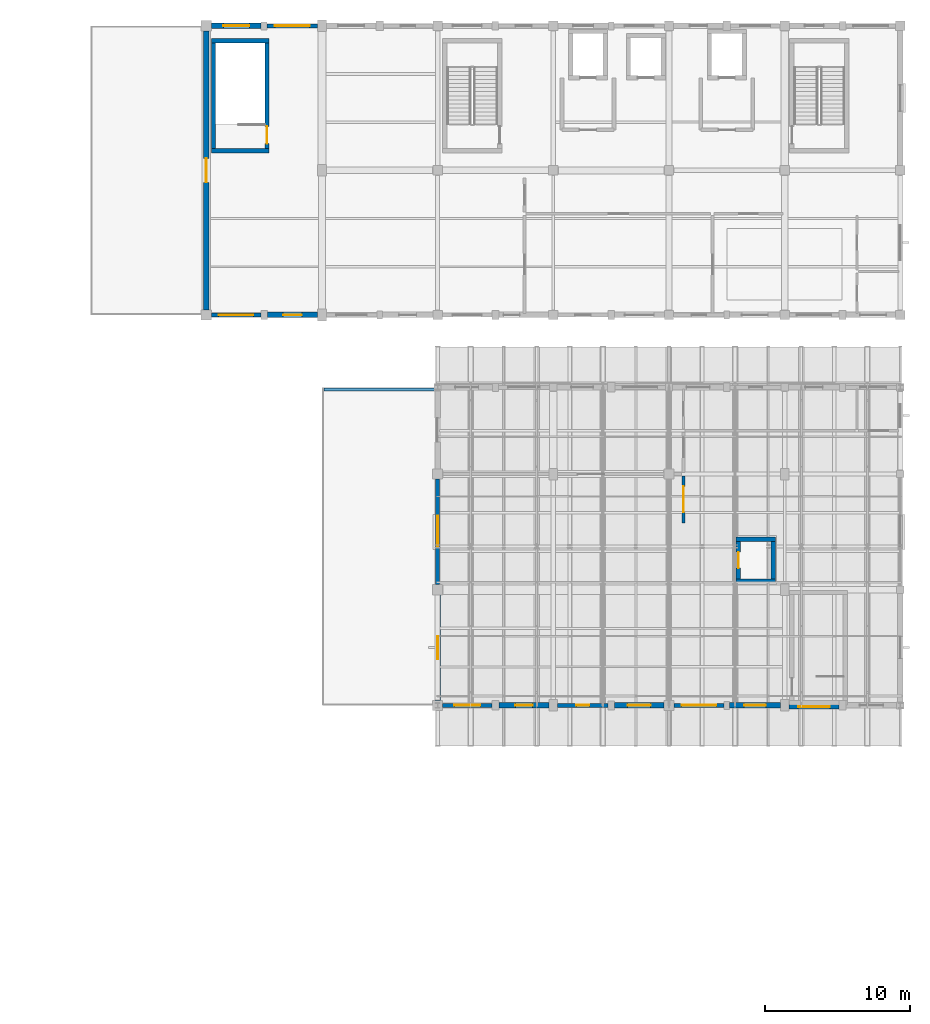
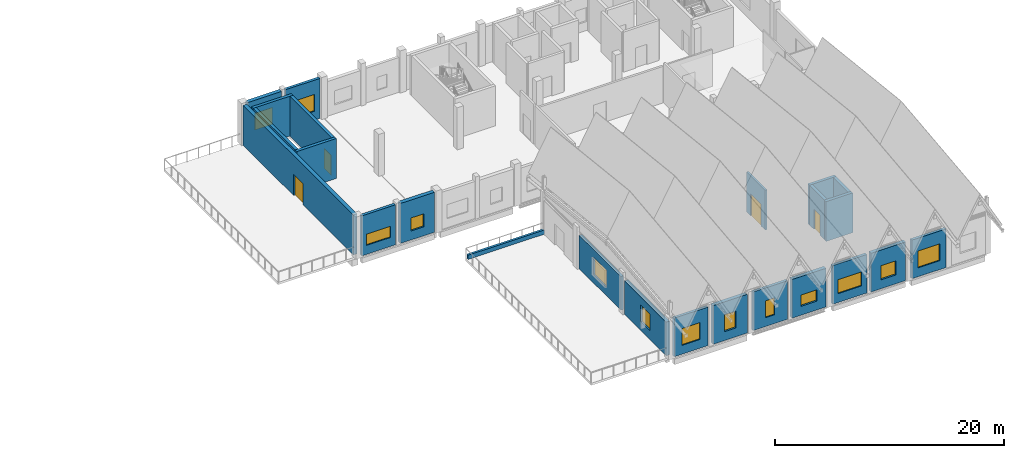
# One storey, part 32 of 48: 24 walls, 13 windows, 4 doors, 17 openings.
"""IFC4 building model written with IfcOpenShell, lengths in metres."""

from ifc_helpers import new_model, si_unit, direction, frame, frame_2d, origin, place, context, subcontext, project, spatial, rectangle, extrude, material, layer, layer_set, type_object, element, fill, save


model = new_model("IFC4")

# Units and contexts
model_context = context("Model", 3, precision=1e-05, world=origin(), true_north=direction((0.0, 1.0)))
body_context = subcontext(model_context, "Body", "Model", "MODEL_VIEW")
ifc_project = project(units=[si_unit("LENGTHUNIT", "METRE"), si_unit("AREAUNIT", "SQUARE_METRE"), si_unit("VOLUMEUNIT", "CUBIC_METRE"), si_unit("PLANEANGLEUNIT", "RADIAN"), si_unit("MASSUNIT", "GRAM", prefix="KILO")], contexts=[model_context])

# Site, building, storey
site_placement = place(None, origin())
site = spatial("IfcSite", under=ifc_project, at=site_placement, CompositionType="ELEMENT")
building_placement = place(site_placement, origin())
building = spatial("IfcBuilding", under=site, at=building_placement, Name="Luwemba Playhouse", CompositionType="ELEMENT")
storey_placement = place(building_placement, frame((0.0, 0.0, 13.800048828125)))
storey = spatial("IfcBuildingStorey", under=building, at=storey_placement, Name="L03", CompositionType="ELEMENT", Elevation=13.800048828125)

# Wall, opening, window
ifc_material_1 = material(Name="Clay facing brick obra vista masonry", Category="masonry")
ifc_layer_1 = layer(ifc_material_1, 0.3798828125)
ifc_layer_set_1 = layer_set([ifc_layer_1], Name="Clay facing brick obra vista masonry")
wall_type_1 = type_object("IfcWallType", Name="WAL-BRK-380", PredefinedType="SOLIDWALL", material=ifc_layer_set_1)
wall_1_placement = place(storey_placement, frame((140.0, 68.35009765625, 0.0), z_axis=(0.0, 0.0, 1.0), x_axis=(0.0, 1.0, 0.0)))
wall_1 = element("IfcWall", 1, at=wall_1_placement, inside=storey, type_object=wall_type_1, Name="L03 V4 exterior facade wall 0427", PredefinedType="SOLIDWALL", context=body_context, shape_type="SweptSolid", body=[
    extrude(rectangle(XDim=7.2998046875, YDim=0.3798828125, at=frame_2d((3.64990234375, 0.0))), origin(), (0.0, 0.0, 1.0), 3.5849609375),
])
opening_1_placement = place(wall_1_placement, frame((2.85009765625, 0.0, 0.949951171875)))
opening_1 = element("IfcOpeningElement", 2, at=opening_1_placement, cuts=wall_1, Name="Opening WN-03", PredefinedType="OPENING", context=body_context, shape_type="SweptSolid", body=[
    extrude(rectangle(XDim=1.60009765625, YDim=1.800048828125, at=frame_2d((0.800048828125, 0.89990234375))), frame((0.0, 0.199951171875, 0.0), z_axis=(0.0, -1.0, 0.0), x_axis=(1.0, 0.0, 0.0)), (0.0, 0.0, 1.0), 0.39990234375),
])
ifc_material_2 = material(Name="Solar-control double glazing in aluminium frame", Category="aluminium")
window_type_1 = type_object("IfcWindowType", Name="WIN-WN-03", PartitioningType="DOUBLE_PANEL_VERTICAL", PredefinedType="WINDOW", material=ifc_material_2)
window_1_placement = place(opening_1_placement, origin())
window_1 = element("IfcWindow", 3, at=window_1_placement, inside=storey, type_object=window_type_1, Name="L03 V4 scheduled window 0369", OverallHeight=1.800048828125, OverallWidth=1.60009765625, PartitioningType="DOUBLE_PANEL_VERTICAL", PredefinedType="WINDOW", context=body_context, shape_type="SweptSolid", body=[
    extrude(rectangle(XDim=1.60009765625, YDim=1.800048828125, at=frame_2d((0.800048828125, 0.89990234375))), frame((0.0, 0.030029296875, 0.0), z_axis=(0.0, -1.0, 0.0), x_axis=(1.0, 0.0, 0.0)), (0.0, 0.0, 1.0), 0.06005859375),
])
fill(opening_1, window_1)

wall_2_placement = place(storey_placement, frame((163.699951171875, 68.0, 0.0), z_axis=(0.0, 0.0, 1.0), x_axis=(-1.0, 0.0, 0.0)))
wall_2 = element("IfcWall", 4, at=wall_2_placement, inside=storey, type_object=wall_type_1, Name="L03 V4 exterior facade wall 0443", PredefinedType="SOLIDWALL", context=body_context, shape_type="SweptSolid", body=[
    extrude(rectangle(XDim=3.5, YDim=0.3798828125, at=frame_2d((1.75, 0.0))), origin(), (0.0, 0.0, 1.0), 4.125),
])
opening_2_placement = place(wall_2_placement, frame((1.0, 0.0, 0.949951171875)))
opening_2 = element("IfcOpeningElement", 5, at=opening_2_placement, cuts=wall_2, Name="Opening WN-09", PredefinedType="OPENING", context=body_context, shape_type="SweptSolid", body=[
    extrude(rectangle(XDim=1.5, YDim=1.5, at=frame_2d((0.75, 0.75))), frame((0.0, 0.199951171875, 0.0), z_axis=(0.0, -1.0, 0.0), x_axis=(1.0, 0.0, 0.0)), (0.0, 0.0, 1.0), 0.39990234375),
])
window_type_2 = type_object("IfcWindowType", Name="WIN-WN-09", PartitioningType="DOUBLE_PANEL_VERTICAL", PredefinedType="WINDOW", material=ifc_material_2)
window_2_placement = place(opening_2_placement, origin())
window_2 = element("IfcWindow", 6, at=window_2_placement, inside=storey, type_object=window_type_2, Name="L03 V4 scheduled window 0384", OverallHeight=1.5, OverallWidth=1.5, PartitioningType="DOUBLE_PANEL_VERTICAL", PredefinedType="WINDOW", context=body_context, shape_type="SweptSolid", body=[
    extrude(rectangle(XDim=1.5, YDim=1.5, at=frame_2d((0.75, 0.75))), frame((0.0, 0.030029296875, 0.0), z_axis=(0.0, -1.0, 0.0), x_axis=(1.0, 0.0, 0.0)), (0.0, 0.0, 1.0), 0.06005859375),
])
fill(opening_2, window_2)

wall_3_placement = place(storey_placement, frame((155.64990234375, 68.0, 0.0), z_axis=(0.0, 0.0, 1.0), x_axis=(-1.0, 0.0, 0.0)))
wall_3 = element("IfcWall", 7, at=wall_3_placement, inside=storey, type_object=wall_type_1, Name="L03 V4 exterior facade wall 0445", PredefinedType="SOLIDWALL", context=body_context, shape_type="SweptSolid", body=[
    extrude(rectangle(XDim=3.4248046875, YDim=0.3798828125, at=frame_2d((1.71240234375, 0.0))), origin(), (0.0, 0.0, 1.0), 4.125),
])
opening_3_placement = place(wall_3_placement, frame((0.91259765625, 0.0, 0.949951171875)))
opening_3 = element("IfcOpeningElement", 8, at=opening_3_placement, cuts=wall_3, Name="Opening WN-15", PredefinedType="OPENING", context=body_context, shape_type="SweptSolid", body=[
    extrude(rectangle(XDim=1.60009765625, YDim=1.199951171875, at=frame_2d((0.800048828125, 0.60009765625))), frame((0.0, 0.199951171875, 0.0), z_axis=(0.0, -1.0, 0.0), x_axis=(1.0, 0.0, 0.0)), (0.0, 0.0, 1.0), 0.39990234375),
])
window_type_3 = type_object("IfcWindowType", Name="WIN-WN-15", PartitioningType="DOUBLE_PANEL_HORIZONTAL", PredefinedType="WINDOW", material=ifc_material_2)
window_3_placement = place(opening_3_placement, origin())
window_3 = element("IfcWindow", 9, at=window_3_placement, inside=storey, type_object=window_type_3, Name="L03 V4 scheduled window 0386", OverallHeight=1.199951171875, OverallWidth=1.60009765625, PartitioningType="DOUBLE_PANEL_HORIZONTAL", PredefinedType="WINDOW", context=body_context, shape_type="SweptSolid", body=[
    extrude(rectangle(XDim=1.60009765625, YDim=1.199951171875, at=frame_2d((0.800048828125, 0.60009765625))), frame((0.0, 0.030029296875, 0.0), z_axis=(0.0, -1.0, 0.0), x_axis=(1.0, 0.0, 0.0)), (0.0, 0.0, 1.0), 0.06005859375),
])
fill(opening_3, window_3)

wall_4_placement = place(storey_placement, frame((147.699951171875, 68.0, 0.0), z_axis=(0.0, 0.0, 1.0), x_axis=(-1.0, 0.0, 0.0)))
wall_4 = element("IfcWall", 10, at=wall_4_placement, inside=storey, type_object=wall_type_1, Name="L03 V4 exterior facade wall 0447", PredefinedType="SOLIDWALL", context=body_context, shape_type="SweptSolid", body=[
    extrude(rectangle(XDim=3.449951171875, YDim=0.3798828125, at=frame_2d((1.72509765625, 0.0))), origin(), (0.0, 0.0, 1.0), 4.125),
])
opening_4_placement = place(wall_4_placement, frame((1.125, 0.0, 0.949951171875)))
opening_4 = element("IfcOpeningElement", 11, at=opening_4_placement, cuts=wall_4, Name="Opening WN-01", PredefinedType="OPENING", context=body_context, shape_type="SweptSolid", body=[
    extrude(rectangle(XDim=1.199951171875, YDim=1.800048828125, at=frame_2d((0.60009765625, 0.89990234375))), frame((0.0, 0.199951171875, 0.0), z_axis=(0.0, -1.0, 0.0), x_axis=(1.0, 0.0, 0.0)), (0.0, 0.0, 1.0), 0.39990234375),
])
window_type_4 = type_object("IfcWindowType", Name="WIN-WN-01", PartitioningType="SINGLE_PANEL", PredefinedType="WINDOW", material=ifc_material_2)
window_4_placement = place(opening_4_placement, origin())
window_4 = element("IfcWindow", 12, at=window_4_placement, inside=storey, type_object=window_type_4, Name="L03 V4 scheduled window 0388", OverallHeight=1.800048828125, OverallWidth=1.199951171875, PartitioningType="SINGLE_PANEL", PredefinedType="WINDOW", context=body_context, shape_type="SweptSolid", body=[
    extrude(rectangle(XDim=1.199951171875, YDim=1.800048828125, at=frame_2d((0.60009765625, 0.89990234375))), frame((0.0, 0.030029296875, 0.0), z_axis=(0.0, -1.0, 0.0), x_axis=(1.0, 0.0, 0.0)), (0.0, 0.0, 1.0), 0.06005859375),
])
fill(opening_4, window_4)

# Wall, opening, door
wall_5_placement = place(storey_placement, frame((124.0, 95.35009765625, 0.0), z_axis=(0.0, 0.0, 1.0), x_axis=(0.0, 1.0, 0.0)))
wall_5 = element("IfcWall", 13, at=wall_5_placement, inside=storey, type_object=wall_type_1, Name="L03 V6E exterior facade wall 0449", PredefinedType="SOLIDWALL", context=body_context, shape_type="SweptSolid", body=[
    extrude(rectangle(XDim=19.2998046875, YDim=0.3798828125, at=frame_2d((9.64990234375, 0.0))), origin(), (0.0, 0.0, 1.0), 4.27001953125),
])
opening_5_placement = place(wall_5_placement, frame((8.824951171875, 0.0, 0.0)))
opening_5 = element("IfcOpeningElement", 14, at=opening_5_placement, cuts=wall_5, Name="Opening D-TR1", PredefinedType="OPENING", context=body_context, shape_type="SweptSolid", body=[
    extrude(rectangle(XDim=1.64990234375, YDim=2.25, at=frame_2d((0.824951171875, 1.125))), frame((0.0, 0.199951171875, 0.0), z_axis=(0.0, -1.0, 0.0), x_axis=(1.0, 0.0, 0.0)), (0.0, 0.0, 1.0), 0.39990234375),
])
ifc_material_3 = material(Name="Architectural bronze-anodised aluminium and glazed leaf", Category="aluminium")
door_type_1 = type_object("IfcDoorType", Name="DR-TER-165", OperationType="NOTDEFINED", PredefinedType="DOOR", material=ifc_material_3)
door_1_placement = place(opening_5_placement, origin())
door_1 = element("IfcDoor", 15, at=door_1_placement, inside=storey, type_object=door_type_1, Name="L03 TER-V6E-L03 terrace entrance door", OperationType="DOUBLE_DOOR_SINGLE_SWING", OverallHeight=2.25, OverallWidth=1.64990234375, PredefinedType="DOOR", context=body_context, shape_type="SweptSolid", body=[
    extrude(rectangle(XDim=1.64990234375, YDim=2.25, at=frame_2d((0.824951171875, 1.125))), frame((0.0, 0.02490234375, 0.0), z_axis=(0.0, -1.0, 0.0), x_axis=(1.0, 0.0, 0.0)), (0.0, 0.0, 1.0), 0.050048828125),
])
fill(opening_5, door_1)

# Wall, opening, window
wall_6_placement = place(storey_placement, frame((124.35009765625, 115.0, 0.0), z_axis=(0.0, 0.0, 1.0), x_axis=(1.0, 0.0, 0.0)))
wall_6 = element("IfcWall", 16, at=wall_6_placement, inside=storey, type_object=wall_type_1, Name="L03 V6E exterior facade wall 0450", PredefinedType="SOLIDWALL", context=body_context, shape_type="SweptSolid", body=[
    extrude(rectangle(XDim=3.449951171875, YDim=0.3798828125, at=frame_2d((1.72509765625, 0.0))), origin(), (0.0, 0.0, 1.0), 4.27001953125),
])
opening_6_placement = place(wall_6_placement, frame((0.824951171875, 0.0, 0.949951171875)))
opening_6 = element("IfcOpeningElement", 17, at=opening_6_placement, cuts=wall_6, Name="Opening WN-04", PredefinedType="OPENING", context=body_context, shape_type="SweptSolid", body=[
    extrude(rectangle(XDim=1.800048828125, YDim=1.800048828125, at=frame_2d((0.89990234375, 0.89990234375))), frame((0.0, 0.199951171875, 0.0), z_axis=(0.0, -1.0, 0.0), x_axis=(1.0, 0.0, 0.0)), (0.0, 0.0, 1.0), 0.39990234375),
])
window_type_5 = type_object("IfcWindowType", Name="WIN-WN-04", PartitioningType="DOUBLE_PANEL_VERTICAL", PredefinedType="WINDOW", material=ifc_material_2)
window_5_placement = place(opening_6_placement, origin())
window_5 = element("IfcWindow", 18, at=window_5_placement, inside=storey, type_object=window_type_5, Name="L03 V6E scheduled window 0390", OverallHeight=1.800048828125, OverallWidth=1.800048828125, PartitioningType="DOUBLE_PANEL_VERTICAL", PredefinedType="WINDOW", context=body_context, shape_type="SweptSolid", body=[
    extrude(rectangle(XDim=1.800048828125, YDim=1.800048828125, at=frame_2d((0.89990234375, 0.89990234375))), frame((0.0, 0.030029296875, 0.0), z_axis=(0.0, -1.0, 0.0), x_axis=(1.0, 0.0, 0.0)), (0.0, 0.0, 1.0), 0.06005859375),
])
fill(opening_6, window_5)

wall_7_placement = place(storey_placement, frame((131.699951171875, 95.0, 0.0), z_axis=(0.0, 0.0, 1.0), x_axis=(-1.0, 0.0, 0.0)))
wall_7 = element("IfcWall", 19, at=wall_7_placement, inside=storey, type_object=wall_type_1, Name="L03 V6E exterior facade wall 0474", PredefinedType="SOLIDWALL", context=body_context, shape_type="SweptSolid", body=[
    extrude(rectangle(XDim=3.474853515625, YDim=0.3798828125, at=frame_2d((1.7373046875, 0.0))), origin(), (0.0, 0.0, 1.0), 4.27001953125),
])
opening_7_placement = place(wall_7_placement, frame((1.08740234375, 0.0, 0.949951171875)))
opening_7 = element("IfcOpeningElement", 20, at=opening_7_placement, cuts=wall_7, Name="Opening WN-14", PredefinedType="OPENING", context=body_context, shape_type="SweptSolid", body=[
    extrude(rectangle(XDim=1.300048828125, YDim=1.39990234375, at=frame_2d((0.64990234375, 0.699951171875))), frame((0.0, 0.199951171875, 0.0), z_axis=(0.0, -1.0, 0.0), x_axis=(1.0, 0.0, 0.0)), (0.0, 0.0, 1.0), 0.39990234375),
])
window_type_6 = type_object("IfcWindowType", Name="WIN-WN-14", PartitioningType="SINGLE_PANEL", PredefinedType="WINDOW", material=ifc_material_2)
window_6_placement = place(opening_7_placement, origin())
window_6 = element("IfcWindow", 21, at=window_6_placement, inside=storey, type_object=window_type_6, Name="L03 V6E scheduled window 0414", OverallHeight=1.39990234375, OverallWidth=1.300048828125, PartitioningType="SINGLE_PANEL", PredefinedType="WINDOW", context=body_context, shape_type="SweptSolid", body=[
    extrude(rectangle(XDim=1.300048828125, YDim=1.39990234375, at=frame_2d((0.64990234375, 0.699951171875))), frame((0.0, 0.030029296875, 0.0), z_axis=(0.0, -1.0, 0.0), x_axis=(1.0, 0.0, 0.0)), (0.0, 0.0, 1.0), 0.06005859375),
])
fill(opening_7, window_6)

# Walls
ifc_material_4 = material(Name="Concrete C40/50", Category="concrete")
ifc_layer_2 = layer(ifc_material_4, 0.300048828125)
ifc_layer_set_2 = layer_set([ifc_layer_2], Name="Concrete C40/50")
wall_type_2 = type_object("IfcWallType", Name="WAL-CORE-300", PredefinedType="SHEAR", material=ifc_layer_set_2)
for number, where, z_axis, x_axis, name in (
    (22, (124.35009765625, 106.35009765625, 0.0), (0.0, 0.0, 1.0), (1.0, 0.0, 0.0), "L03 ST-16 stair core wall S"),
    (23, (128.35009765625, 113.969970703125, 0.0), (0.0, 0.0, 1.0), (-1.0, 0.0, 0.0), "L03 ST-16 stair core wall N"),
):
    element("IfcWall", number, at=place(storey_placement, frame(where, z_axis=z_axis, x_axis=x_axis)), inside=storey, type_object=wall_type_2, Name=name, PredefinedType="SHEAR", context=body_context, shape_type="SweptSolid", body=[
        extrude(rectangle(XDim=4.0, YDim=0.300048828125, at=frame_2d((2.0, 0.0))), origin(), (0.0, 0.0, 1.0), 4.27001953125),
    ])
wall_8_placement = place(storey_placement, frame((124.5, 106.5, 0.0), z_axis=(0.0, 0.0, 1.0), x_axis=(0.0, 1.0, 0.0)))
element("IfcWall", 24, at=wall_8_placement, inside=storey, type_object=wall_type_2, Name="L03 ST-16 stair core wall W", PredefinedType="SHEAR", context=body_context, shape_type="SweptSolid", body=[
    extrude(rectangle(XDim=7.320068359375, YDim=0.300048828125, at=frame_2d((3.66015625, 0.0))), origin(), (0.0, 0.0, 1.0), 4.27001953125),
])

# Wall, opening, door
wall_9_placement = place(storey_placement, frame((128.199951171875, 106.5, 0.0), z_axis=(0.0, 0.0, 1.0), x_axis=(0.0, 1.0, 0.0)))
wall_9 = element("IfcWall", 25, at=wall_9_placement, inside=storey, type_object=wall_type_2, Name="L03 ST-16 stair core wall E", PredefinedType="SHEAR", context=body_context, shape_type="SweptSolid", body=[
    extrude(rectangle(XDim=7.320068359375, YDim=0.300048828125, at=frame_2d((3.66015625, 0.0))), origin(), (0.0, 0.0, 1.0), 4.27001953125),
])
opening_8_placement = place(wall_9_placement, frame((0.35009765625, 0.0, 0.0)))
opening_8 = element("IfcOpeningElement", 26, at=opening_8_placement, cuts=wall_9, Name="Opening D-STAIR3", PredefinedType="OPENING", context=body_context, shape_type="SweptSolid", body=[
    extrude(rectangle(XDim=1.199951171875, YDim=2.14990234375, at=frame_2d((0.60009765625, 1.074951171875))), frame((0.0, 0.159912109375, 0.0), z_axis=(0.0, -1.0, 0.0), x_axis=(1.0, 0.0, 0.0)), (0.0, 0.0, 1.0), 0.320068359375),
])
ifc_material_5 = material(Name="Hardwood acoustic fire door leaf", Category="wood")
door_type_2 = type_object("IfcDoorType", Name="DR-STAIR-120", OperationType="NOTDEFINED", PredefinedType="DOOR", material=ifc_material_5)
door_2_placement = place(opening_8_placement, origin())
door_2 = element("IfcDoor", 27, at=door_2_placement, inside=storey, type_object=door_type_2, Name="L03 ST-16 protected stair entry door", OperationType="SINGLE_SWING_RIGHT", OverallHeight=2.14990234375, OverallWidth=1.199951171875, PredefinedType="DOOR", context=body_context, shape_type="SweptSolid", body=[
    extrude(rectangle(XDim=1.199951171875, YDim=2.14990234375, at=frame_2d((0.60009765625, 1.074951171875))), frame((0.0, 0.02490234375, 0.0), z_axis=(0.0, -1.0, 0.0), x_axis=(1.0, 0.0, 0.0)), (0.0, 0.0, 1.0), 0.050048828125),
])
fill(opening_8, door_2)

# Walls
for number, where, z_axis, x_axis, name in (
    (28, (160.64990234375, 76.60009765625, 0.0), (0.0, 0.0, 1.0), (1.0, 0.0, 0.0), "L03 Lift LF-P7 shaft wall S"),
    (29, (163.35009765625, 79.5, 0.0), (0.0, 0.0, 1.0), (-1.0, 0.0, 0.0), "L03 Lift LF-P7 shaft wall N"),
):
    element("IfcWall", number, at=place(storey_placement, frame(where, z_axis=z_axis, x_axis=x_axis)), inside=storey, type_object=wall_type_2, Name=name, PredefinedType="SHEAR", context=body_context, shape_type="SweptSolid", body=[
        extrude(rectangle(XDim=2.7001953125, YDim=0.300048828125, at=frame_2d((1.35009765625, 0.0))), origin(), (0.0, 0.0, 1.0), 4.25),
    ])

# Wall, opening, door
wall_10_placement = place(storey_placement, frame((160.800048828125, 76.75, 0.0), z_axis=(0.0, 0.0, 1.0), x_axis=(0.0, 1.0, 0.0)))
wall_10 = element("IfcWall", 30, at=wall_10_placement, inside=storey, type_object=wall_type_2, Name="L03 Lift LF-P7 shaft wall W", PredefinedType="SHEAR", context=body_context, shape_type="SweptSolid", body=[
    extrude(rectangle(XDim=2.60009765625, YDim=0.300048828125, at=frame_2d((1.300048828125, 0.0))), origin(), (0.0, 0.0, 1.0), 4.25),
])
opening_9_placement = place(wall_10_placement, frame((0.75, 0.0, 0.0)))
opening_9 = element("IfcOpeningElement", 31, at=opening_9_placement, cuts=wall_10, Name="Opening LD-01", PredefinedType="OPENING", context=body_context, shape_type="SweptSolid", body=[
    extrude(rectangle(XDim=1.10009765625, YDim=2.14990234375, at=frame_2d((0.550048828125, 1.074951171875))), frame((0.0, 0.159912109375, 0.0), z_axis=(0.0, -1.0, 0.0), x_axis=(1.0, 0.0, 0.0)), (0.0, 0.0, 1.0), 0.320068359375),
])
ifc_material_6 = material(Name="Stainless steel lift landing doors", Category="steel")
door_type_3 = type_object("IfcDoorType", Name="DR-LIFT-110", OperationType="NOTDEFINED", PredefinedType="DOOR", material=ifc_material_6)
door_3_placement = place(opening_9_placement, origin())
door_3 = element("IfcDoor", 32, at=door_3_placement, inside=storey, type_object=door_type_3, Name="L03 Lift LF-P7 landing door", OperationType="DOUBLE_DOOR_SLIDING", OverallHeight=2.14990234375, OverallWidth=1.10009765625, PredefinedType="DOOR", context=body_context, shape_type="SweptSolid", body=[
    extrude(rectangle(XDim=1.10009765625, YDim=2.14990234375, at=frame_2d((0.550048828125, 1.074951171875))), frame((0.0, 0.02490234375, 0.0), z_axis=(0.0, -1.0, 0.0), x_axis=(1.0, 0.0, 0.0)), (0.0, 0.0, 1.0), 0.050048828125),
])
fill(opening_9, door_3)

# Wall
wall_11_placement = place(storey_placement, frame((163.199951171875, 79.35009765625, 0.0), z_axis=(0.0, 0.0, 1.0), x_axis=(0.0, -1.0, 0.0)))
element("IfcWall", 33, at=wall_11_placement, inside=storey, type_object=wall_type_2, Name="L03 Lift LF-P7 shaft wall E", PredefinedType="SHEAR", context=body_context, shape_type="SweptSolid", body=[
    extrude(rectangle(XDim=2.60009765625, YDim=0.300048828125, at=frame_2d((1.300048828125, 0.0))), origin(), (0.0, 0.0, 1.0), 4.25),
])

# Wall, opening, door
ifc_material_7 = material(Name="Clay acoustic masonry blockwork", Category="masonry")
ifc_layer_3 = layer(ifc_material_7, 0.199951171875)
ifc_layer_set_3 = layer_set([ifc_layer_3], Name="Clay acoustic masonry blockwork")
wall_type_3 = type_object("IfcWallType", Name="WAL-INT-200", PredefinedType="PARTITIONING", material=ifc_layer_set_3)
wall_12_placement = place(storey_placement, frame((157.0, 80.6201171875, 0.0), z_axis=(0.0, 0.0, 1.0), x_axis=(0.0, 1.0, 0.0)))
wall_12 = element("IfcWall", 34, at=wall_12_placement, inside=storey, type_object=wall_type_3, Name="L03 V4 interior partition 0202", PredefinedType="PARTITIONING", context=body_context, shape_type="SweptSolid", body=[
    extrude(rectangle(XDim=3.259765625, YDim=0.199951171875, at=frame_2d((1.6298828125, 0.0))), origin(), (0.0, 0.0, 1.0), 4.25),
])
opening_10_placement = place(wall_12_placement, frame((0.72998046875, 0.0, 0.0)))
opening_10 = element("IfcOpeningElement", 35, at=opening_10_placement, cuts=wall_12, Name="Opening D-AUD1", PredefinedType="OPENING", context=body_context, shape_type="SweptSolid", body=[
    extrude(rectangle(XDim=1.800048828125, YDim=2.35009765625, at=frame_2d((0.89990234375, 1.175048828125))), frame((0.0, 0.10986328125, 0.0), z_axis=(0.0, -1.0, 0.0), x_axis=(1.0, 0.0, 0.0)), (0.0, 0.0, 1.0), 0.219970703125),
])
ifc_material_8 = material(Name="Double acoustic timber theatre door", Category="wood")
door_type_4 = type_object("IfcDoorType", Name="DR-AUD-180", OperationType="NOTDEFINED", PredefinedType="DOOR", material=ifc_material_8)
door_4_placement = place(opening_10_placement, origin())
door_4 = element("IfcDoor", 36, at=door_4_placement, inside=storey, type_object=door_type_4, Name="L03 Chamber Music and Recital Hall to Acoustic Mastering and Restoration Lab door", OperationType="DOUBLE_DOOR_SINGLE_SWING", OverallHeight=2.35009765625, OverallWidth=1.800048828125, PredefinedType="DOOR", context=body_context, shape_type="SweptSolid", body=[
    extrude(rectangle(XDim=1.800048828125, YDim=2.35009765625, at=frame_2d((0.89990234375, 1.175048828125))), frame((0.0, 0.02490234375, 0.0), z_axis=(0.0, -1.0, 0.0), x_axis=(1.0, 0.0, 0.0)), (0.0, 0.0, 1.0), 0.050048828125),
])
fill(opening_10, door_4)

# Wall
ifc_material_9 = material(Name="Trencadis ceramic mosaic masonry", Category="masonry")
ifc_layer_4 = layer(ifc_material_9, 0.22509765625)
ifc_layer_set_4 = layer_set([ifc_layer_4], Name="Trencadis ceramic mosaic masonry")
wall_type_4 = type_object("IfcWallType", Name="WAL-PAR-225", PredefinedType="PARAPET", material=ifc_layer_set_4)
wall_13_placement = place(storey_placement, frame((132.14990234375, 89.85009765625, 0.0), z_axis=(0.0, 0.0, 1.0), x_axis=(1.0, 0.0, 0.0)))
element("IfcWall", 37, at=wall_13_placement, inside=storey, type_object=wall_type_4, Name="Experimental terrace north trencadis coping", PredefinedType="PARAPET", context=body_context, shape_type="SweptSolid", body=[
    extrude(rectangle(XDim=7.7001953125, YDim=0.22509765625, at=frame_2d((3.85009765625, 0.0))), origin(), (0.0, 0.0, 1.0), 0.449951171875),
])

# Wall, opening, window
ifc_material_10 = material(Name="Structural timber GL24h infill", Category="wood")
ifc_layer_5 = layer(ifc_material_10, 0.280029296875)
ifc_layer_set_5 = layer_set([ifc_layer_5], Name="Structural timber GL24h infill")
wall_type_5 = type_object("IfcWallType", Name="WAL-TIM-280", PredefinedType="SOLIDWALL", material=ifc_layer_set_5)
wall_14_placement = place(storey_placement, frame((140.0, 76.35009765625, 0.0), z_axis=(0.0, 0.0, 1.0), x_axis=(0.0, 1.0, 0.0)))
wall_14 = element("IfcWall", 38, at=wall_14_placement, inside=storey, type_object=wall_type_5, Name="L03 V4 exterior facade wall 0428", PredefinedType="SOLIDWALL", context=body_context, shape_type="SweptSolid", body=[
    extrude(rectangle(XDim=7.2998046875, YDim=0.280029296875, at=frame_2d((3.64990234375, 0.0))), origin(), (0.0, 0.0, 1.0), 3.5849609375),
])
opening_11_placement = place(wall_14_placement, frame((2.550048828125, 0.0, 0.949951171875)))
opening_11 = element("IfcOpeningElement", 39, at=opening_11_placement, cuts=wall_14, Name="Opening WN-06", PredefinedType="OPENING", context=body_context, shape_type="SweptSolid", body=[
    extrude(rectangle(XDim=2.199951171875, YDim=1.800048828125, at=frame_2d((1.10009765625, 0.89990234375))), frame((0.0, 0.14990234375, 0.0), z_axis=(0.0, -1.0, 0.0), x_axis=(1.0, 0.0, 0.0)), (0.0, 0.0, 1.0), 0.300048828125),
])
window_type_7 = type_object("IfcWindowType", Name="WIN-WN-06", PartitioningType="TRIPLE_PANEL_VERTICAL", PredefinedType="WINDOW", material=ifc_material_2)
window_7_placement = place(opening_11_placement, origin())
window_7 = element("IfcWindow", 40, at=window_7_placement, inside=storey, type_object=window_type_7, Name="L03 V4 scheduled window 0370", OverallHeight=1.800048828125, OverallWidth=2.199951171875, PartitioningType="TRIPLE_PANEL_VERTICAL", PredefinedType="WINDOW", context=body_context, shape_type="SweptSolid", body=[
    extrude(rectangle(XDim=2.199951171875, YDim=1.800048828125, at=frame_2d((1.10009765625, 0.89990234375))), frame((0.0, 0.030029296875, 0.0), z_axis=(0.0, -1.0, 0.0), x_axis=(1.0, 0.0, 0.0)), (0.0, 0.0, 1.0), 0.06005859375),
])
fill(opening_11, window_7)

wall_15_placement = place(storey_placement, frame((167.75, 67.909912109375, 0.0), z_axis=(0.0, 0.0, 1.0), x_axis=(-1.0, 0.0, 0.0)))
wall_15 = element("IfcWall", 41, at=wall_15_placement, inside=storey, type_object=wall_type_5, Name="L03 V4 exterior facade wall 0442", PredefinedType="SOLIDWALL", context=body_context, shape_type="SweptSolid", body=[
    extrude(rectangle(XDim=3.449951171875, YDim=0.280029296875, at=frame_2d((1.72509765625, 0.0))), origin(), (0.0, 0.0, 1.0), 4.125),
])
opening_12_placement = place(wall_15_placement, frame((0.625, 0.0, 0.949951171875)))
opening_12 = element("IfcOpeningElement", 42, at=opening_12_placement, cuts=wall_15, Name="Opening WN-06", PredefinedType="OPENING", context=body_context, shape_type="SweptSolid", body=[
    extrude(rectangle(XDim=2.199951171875, YDim=1.800048828125, at=frame_2d((1.10009765625, 0.89990234375))), frame((0.0, 0.14990234375, 0.0), z_axis=(0.0, -1.0, 0.0), x_axis=(1.0, 0.0, 0.0)), (0.0, 0.0, 1.0), 0.300048828125),
])
window_8_placement = place(opening_12_placement, origin())
window_8 = element("IfcWindow", 43, at=window_8_placement, inside=storey, type_object=window_type_7, Name="L03 V4 scheduled window 0383", OverallHeight=1.800048828125, OverallWidth=2.199951171875, PartitioningType="TRIPLE_PANEL_VERTICAL", PredefinedType="WINDOW", context=body_context, shape_type="SweptSolid", body=[
    extrude(rectangle(XDim=2.199951171875, YDim=1.800048828125, at=frame_2d((1.10009765625, 0.89990234375))), frame((0.0, 0.030029296875, 0.0), z_axis=(0.0, -1.0, 0.0), x_axis=(1.0, 0.0, 0.0)), (0.0, 0.0, 1.0), 0.06005859375),
])
fill(opening_12, window_8)

wall_16_placement = place(storey_placement, frame((159.800048828125, 68.0, 0.0), z_axis=(0.0, 0.0, 1.0), x_axis=(-1.0, 0.0, 0.0)))
wall_16 = element("IfcWall", 44, at=wall_16_placement, inside=storey, type_object=wall_type_5, Name="L03 V4 exterior facade wall 0444", PredefinedType="SOLIDWALL", context=body_context, shape_type="SweptSolid", body=[
    extrude(rectangle(XDim=3.449951171875, YDim=0.280029296875, at=frame_2d((1.72509765625, 0.0))), origin(), (0.0, 0.0, 1.0), 4.125),
])
opening_13_placement = place(wall_16_placement, frame((0.52490234375, 0.0, 0.949951171875)))
opening_13 = element("IfcOpeningElement", 45, at=opening_13_placement, cuts=wall_16, Name="Opening WN-12", PredefinedType="OPENING", context=body_context, shape_type="SweptSolid", body=[
    extrude(rectangle(XDim=2.39990234375, YDim=1.5, at=frame_2d((1.199951171875, 0.75))), frame((0.0, 0.14990234375, 0.0), z_axis=(0.0, -1.0, 0.0), x_axis=(1.0, 0.0, 0.0)), (0.0, 0.0, 1.0), 0.300048828125),
])
window_type_8 = type_object("IfcWindowType", Name="WIN-WN-12", PartitioningType="TRIPLE_PANEL_VERTICAL", PredefinedType="WINDOW", material=ifc_material_2)
window_9_placement = place(opening_13_placement, origin())
window_9 = element("IfcWindow", 46, at=window_9_placement, inside=storey, type_object=window_type_8, Name="L03 V4 scheduled window 0385", OverallHeight=1.5, OverallWidth=2.39990234375, PartitioningType="TRIPLE_PANEL_VERTICAL", PredefinedType="WINDOW", context=body_context, shape_type="SweptSolid", body=[
    extrude(rectangle(XDim=2.39990234375, YDim=1.5, at=frame_2d((1.199951171875, 0.75))), frame((0.0, 0.030029296875, 0.0), z_axis=(0.0, -1.0, 0.0), x_axis=(1.0, 0.0, 0.0)), (0.0, 0.0, 1.0), 0.06005859375),
])
fill(opening_13, window_9)

wall_17_placement = place(storey_placement, frame((151.77490234375, 68.0, 0.0), z_axis=(0.0, 0.0, 1.0), x_axis=(-1.0, 0.0, 0.0)))
wall_17 = element("IfcWall", 47, at=wall_17_placement, inside=storey, type_object=wall_type_5, Name="L03 V4 exterior facade wall 0446", PredefinedType="SOLIDWALL", context=body_context, shape_type="SweptSolid", body=[
    extrude(rectangle(XDim=3.474853515625, YDim=0.280029296875, at=frame_2d((1.7373046875, 0.0))), origin(), (0.0, 0.0, 1.0), 4.125),
])
opening_14_placement = place(wall_17_placement, frame((1.28759765625, 0.0, 0.949951171875)))
opening_14 = element("IfcOpeningElement", 48, at=opening_14_placement, cuts=wall_17, Name="Opening WN-18", PredefinedType="OPENING", context=body_context, shape_type="SweptSolid", body=[
    extrude(rectangle(XDim=0.89990234375, YDim=1.800048828125, at=frame_2d((0.449951171875, 0.89990234375))), frame((0.0, 0.14990234375, 0.0), z_axis=(0.0, -1.0, 0.0), x_axis=(1.0, 0.0, 0.0)), (0.0, 0.0, 1.0), 0.300048828125),
])
window_type_9 = type_object("IfcWindowType", Name="WIN-WN-18", PartitioningType="SINGLE_PANEL", PredefinedType="WINDOW", material=ifc_material_2)
window_10_placement = place(opening_14_placement, origin())
window_10 = element("IfcWindow", 49, at=window_10_placement, inside=storey, type_object=window_type_9, Name="L03 V4 scheduled window 0387", OverallHeight=1.800048828125, OverallWidth=0.89990234375, PartitioningType="SINGLE_PANEL", PredefinedType="WINDOW", context=body_context, shape_type="SweptSolid", body=[
    extrude(rectangle(XDim=0.89990234375, YDim=1.800048828125, at=frame_2d((0.449951171875, 0.89990234375))), frame((0.0, 0.030029296875, 0.0), z_axis=(0.0, -1.0, 0.0), x_axis=(1.0, 0.0, 0.0)), (0.0, 0.0, 1.0), 0.06005859375),
])
fill(opening_14, window_10)

wall_18_placement = place(storey_placement, frame((143.75, 68.0, 0.0), z_axis=(0.0, 0.0, 1.0), x_axis=(-1.0, 0.0, 0.0)))
wall_18 = element("IfcWall", 50, at=wall_18_placement, inside=storey, type_object=wall_type_5, Name="L03 V4 exterior facade wall 0448", PredefinedType="SOLIDWALL", context=body_context, shape_type="SweptSolid", body=[
    extrude(rectangle(XDim=3.39990234375, YDim=0.280029296875, at=frame_2d((1.699951171875, 0.0))), origin(), (0.0, 0.0, 1.0), 4.125),
])
opening_15_placement = place(wall_18_placement, frame((0.800048828125, 0.0, 0.949951171875)))
opening_15 = element("IfcOpeningElement", 51, at=opening_15_placement, cuts=wall_18, Name="Opening WN-04", PredefinedType="OPENING", context=body_context, shape_type="SweptSolid", body=[
    extrude(rectangle(XDim=1.800048828125, YDim=1.800048828125, at=frame_2d((0.89990234375, 0.89990234375))), frame((0.0, 0.14990234375, 0.0), z_axis=(0.0, -1.0, 0.0), x_axis=(1.0, 0.0, 0.0)), (0.0, 0.0, 1.0), 0.300048828125),
])
window_11_placement = place(opening_15_placement, origin())
window_11 = element("IfcWindow", 52, at=window_11_placement, inside=storey, type_object=window_type_5, Name="L03 V4 scheduled window 0389", OverallHeight=1.800048828125, OverallWidth=1.800048828125, PartitioningType="DOUBLE_PANEL_VERTICAL", PredefinedType="WINDOW", context=body_context, shape_type="SweptSolid", body=[
    extrude(rectangle(XDim=1.800048828125, YDim=1.800048828125, at=frame_2d((0.89990234375, 0.89990234375))), frame((0.0, 0.030029296875, 0.0), z_axis=(0.0, -1.0, 0.0), x_axis=(1.0, 0.0, 0.0)), (0.0, 0.0, 1.0), 0.06005859375),
])
fill(opening_15, window_11)

wall_19_placement = place(storey_placement, frame((128.199951171875, 115.0, 0.0), z_axis=(0.0, 0.0, 1.0), x_axis=(1.0, 0.0, 0.0)))
wall_19 = element("IfcWall", 53, at=wall_19_placement, inside=storey, type_object=wall_type_5, Name="L03 V6E exterior facade wall 0451", PredefinedType="SOLIDWALL", context=body_context, shape_type="SweptSolid", body=[
    extrude(rectangle(XDim=3.5, YDim=0.280029296875, at=frame_2d((1.75, 0.0))), origin(), (0.0, 0.0, 1.0), 4.27001953125),
])
opening_16_placement = place(wall_19_placement, frame((0.550048828125, 0.0, 0.949951171875)))
opening_16 = element("IfcOpeningElement", 54, at=opening_16_placement, cuts=wall_19, Name="Opening WN-07", PredefinedType="OPENING", context=body_context, shape_type="SweptSolid", body=[
    extrude(rectangle(XDim=2.39990234375, YDim=1.800048828125, at=frame_2d((1.199951171875, 0.89990234375))), frame((0.0, 0.14990234375, 0.0), z_axis=(0.0, -1.0, 0.0), x_axis=(1.0, 0.0, 0.0)), (0.0, 0.0, 1.0), 0.300048828125),
])
window_type_10 = type_object("IfcWindowType", Name="WIN-WN-07", PartitioningType="TRIPLE_PANEL_VERTICAL", PredefinedType="WINDOW", material=ifc_material_2)
window_12_placement = place(opening_16_placement, origin())
window_12 = element("IfcWindow", 55, at=window_12_placement, inside=storey, type_object=window_type_10, Name="L03 V6E scheduled window 0391", OverallHeight=1.800048828125, OverallWidth=2.39990234375, PartitioningType="TRIPLE_PANEL_VERTICAL", PredefinedType="WINDOW", context=body_context, shape_type="SweptSolid", body=[
    extrude(rectangle(XDim=2.39990234375, YDim=1.800048828125, at=frame_2d((1.199951171875, 0.89990234375))), frame((0.0, 0.030029296875, 0.0), z_axis=(0.0, -1.0, 0.0), x_axis=(1.0, 0.0, 0.0)), (0.0, 0.0, 1.0), 0.06005859375),
])
fill(opening_16, window_12)

wall_20_placement = place(storey_placement, frame((127.77490234375, 95.0, 0.0), z_axis=(0.0, 0.0, 1.0), x_axis=(-1.0, 0.0, 0.0)))
wall_20 = element("IfcWall", 56, at=wall_20_placement, inside=storey, type_object=wall_type_5, Name="L03 V6E exterior facade wall 0475", PredefinedType="SOLIDWALL", context=body_context, shape_type="SweptSolid", body=[
    extrude(rectangle(XDim=3.4248046875, YDim=0.280029296875, at=frame_2d((1.71240234375, 0.0))), origin(), (0.0, 0.0, 1.0), 4.27001953125),
])
opening_17_placement = place(wall_20_placement, frame((0.512451171875, 0.0, 0.949951171875)))
opening_17 = element("IfcOpeningElement", 57, at=opening_17_placement, cuts=wall_20, Name="Opening WN-17", PredefinedType="OPENING", context=body_context, shape_type="SweptSolid", body=[
    extrude(rectangle(XDim=2.39990234375, YDim=1.199951171875, at=frame_2d((1.199951171875, 0.60009765625))), frame((0.0, 0.14990234375, 0.0), z_axis=(0.0, -1.0, 0.0), x_axis=(1.0, 0.0, 0.0)), (0.0, 0.0, 1.0), 0.300048828125),
])
window_type_11 = type_object("IfcWindowType", Name="WIN-WN-17", PartitioningType="TRIPLE_PANEL_HORIZONTAL", PredefinedType="WINDOW", material=ifc_material_2)
window_13_placement = place(opening_17_placement, origin())
window_13 = element("IfcWindow", 58, at=window_13_placement, inside=storey, type_object=window_type_11, Name="L03 V6E scheduled window 0415", OverallHeight=1.199951171875, OverallWidth=2.39990234375, PartitioningType="TRIPLE_PANEL_HORIZONTAL", PredefinedType="WINDOW", context=body_context, shape_type="SweptSolid", body=[
    extrude(rectangle(XDim=2.39990234375, YDim=1.199951171875, at=frame_2d((1.199951171875, 0.60009765625))), frame((0.0, 0.030029296875, 0.0), z_axis=(0.0, -1.0, 0.0), x_axis=(1.0, 0.0, 0.0)), (0.0, 0.0, 1.0), 0.06005859375),
])
fill(opening_17, window_13)

save(model, "model.ifc")
